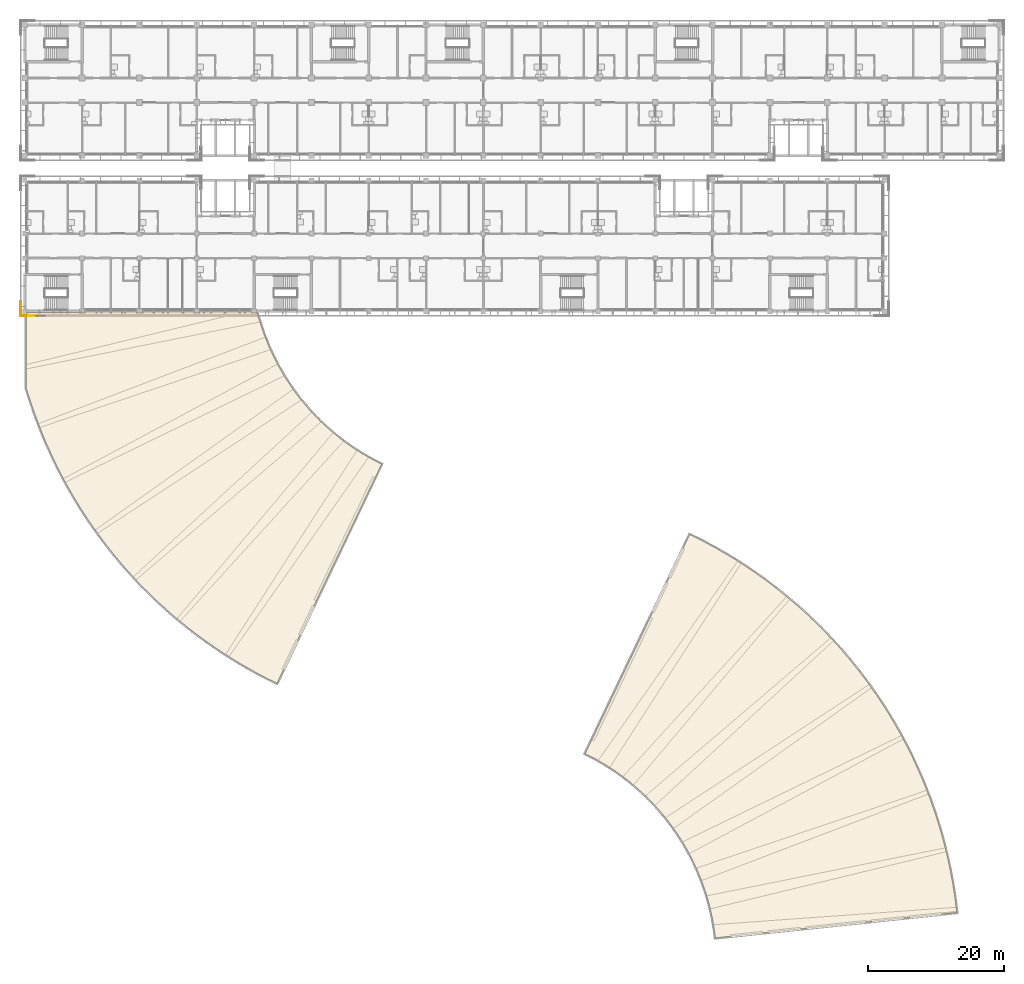
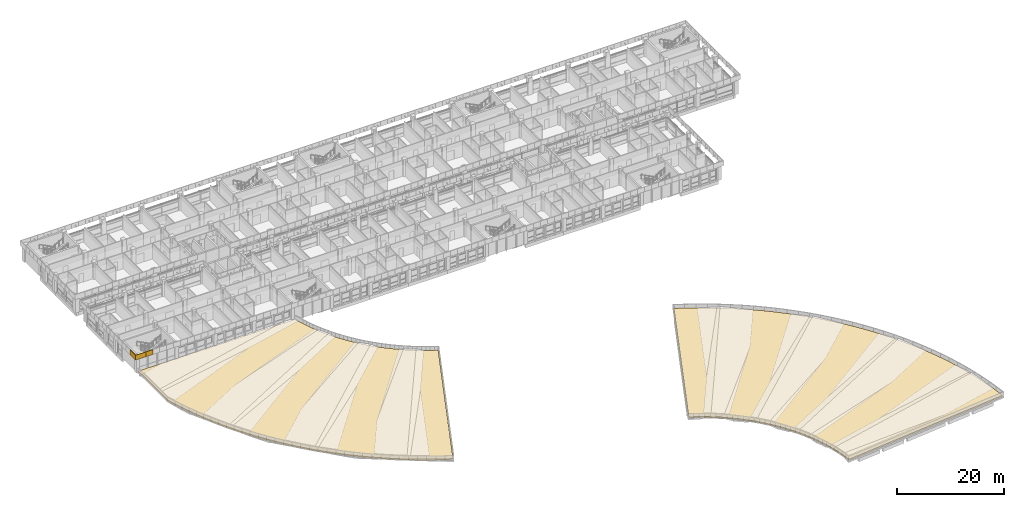
# One storey, part 62 of 74: 5 coverings.
"""IFC4 building model written with IfcOpenShell, lengths in metres."""

from ifc_helpers import new_model, si_unit, direction, frame, origin, place, context, subcontext, project, spatial, polyline, outline, extrude, material, layer, layer_set, type_object, element, save


model = new_model("IFC4")

# Units and contexts
model_context = context("Model", 3, precision=1e-05, world=origin(), true_north=direction((0.0, 1.0)))
body_context = subcontext(model_context, "Body", "Model", "MODEL_VIEW")
ifc_project = project(units=[si_unit("LENGTHUNIT", "METRE"), si_unit("AREAUNIT", "SQUARE_METRE"), si_unit("VOLUMEUNIT", "CUBIC_METRE"), si_unit("PLANEANGLEUNIT", "RADIAN"), si_unit("MASSUNIT", "GRAM", prefix="KILO")], contexts=[model_context])

# Site, building, storey
site_placement = place(None, origin())
site = spatial("IfcSite", under=ifc_project, at=site_placement, CompositionType="ELEMENT")
building_placement = place(site_placement, origin())
building = spatial("IfcBuilding", under=site, at=building_placement, Name="Bougainvillea Quay General Hospital", CompositionType="ELEMENT")
storey_placement = place(building_placement, frame((0.0, 0.0, 21.0)))
storey = spatial("IfcBuildingStorey", under=building, at=storey_placement, Name="L04", CompositionType="ELEMENT", Elevation=21.0)

# Coverings
ifc_material_1 = material(Name="Powder-coated aluminium fascia, white", Category="aluminium")
ifc_layer_1 = layer(ifc_material_1, 0.14990234375)
ifc_layer_set_1 = layer_set([ifc_layer_1], Name="Powder-coated aluminium fascia, white")
covering_type_1 = type_object("IfcCoveringType", Name="Aluminium fascia band white 150x1100", PredefinedType="CLADDING", material=ifc_layer_set_1)
covering_1_placement = place(storey_placement, frame((41.449951171875, 119.076904296875, 3.35009765625), z_axis=(0.0, 0.0, 1.0), x_axis=(0.0, -1.0, 0.0)))
element("IfcCovering", 1, at=covering_1_placement, inside=storey, type_object=covering_type_1, Name="Fascia band white e0 13", PredefinedType="CLADDING", context=body_context, shape_type="SweptSolid", body=[
    extrude(outline(polyline([(0.0, 0.0), (2.02685546875, 0.0), (2.177001953125, -0.14990234375), (0.0, -0.14990234375), (0.0, 0.0)])), origin(), (0.0, 0.0, 1.0), 1.10009765625),
])
covering_2_placement = place(storey_placement, frame((41.449951171875, 117.050048828125, 3.35009765625), z_axis=(0.0, 0.0, 1.0), x_axis=(1.0, 0.0, 0.0)))
element("IfcCovering", 2, at=covering_2_placement, inside=storey, type_object=covering_type_1, Name="Fascia band white e0 14", PredefinedType="CLADDING", context=body_context, shape_type="SweptSolid", body=[
    extrude(outline(polyline([(0.0, 0.0), (2.050048828125, 0.0), (2.050048828125, -0.150146484375), (-0.14990234375, -0.150146484375), (0.0, 0.0)])), origin(), (0.0, 0.0, 1.0), 1.10009765625),
])
covering_3_placement = place(storey_placement, frame((43.5, 117.050048828125, 3.35009765625), z_axis=(0.0, 0.0, 1.0), x_axis=(1.0, 0.0, 0.0)))
element("IfcCovering", 3, at=covering_3_placement, inside=storey, type_object=covering_type_1, Name="Fascia band white e0 15", PredefinedType="CLADDING", context=body_context, shape_type="SweptSolid", body=[
    extrude(outline(polyline([(0.0, 0.0), (1.5, 0.0), (1.5, -0.150146484375), (0.0, -0.150146484375), (0.0, 0.0)])), origin(), (0.0, 0.0, 1.0), 1.10009765625),
])
ifc_material_2 = material(Name="Extensive green roof substrate with sedum planting")
ifc_layer_2 = layer(ifc_material_2, 0.25)
ifc_layer_set_2 = layer_set([ifc_layer_2], Name="Extensive green roof substrate with sedum planting")
covering_type_2 = type_object("IfcCoveringType", Name="Planted roof 250", PredefinedType="ROOFING", material=ifc_layer_set_2)
covering_4_placement = place(storey_placement, origin())
element("IfcCovering", 4, at=covering_4_placement, inside=storey, type_object=covering_type_2, Name="Planted roof 0 1", PredefinedType="ROOFING", context=body_context, shape_type="SweptSolid", body=[
    extrude(outline(polyline([(70.21484375, 68.101806640625), (68.802734375, 69.078125), (67.414794921875, 70.089111328125), (66.052734375, 71.13330078125), (64.716552734375, 72.211181640625), (63.4072265625, 73.321044921875), (62.1259765625, 74.463623046875), (60.87255859375, 75.63623046875), (59.64892578125, 76.83984375), (58.454345703125, 78.0732421875), (57.291748046875, 79.335693359375), (56.159912109375, 80.6259765625), (55.06005859375, 81.9443359375), (53.9931640625, 83.289306640625), (52.959228515625, 84.659423828125), (51.9599609375, 86.055419921875), (50.994873046875, 87.474365234375), (50.0654296875, 88.918212890625), (49.1708984375, 90.383056640625), (48.3134765625, 91.869873046875), (47.492919921875, 93.37744140625), (46.708984375, 94.905029296875), (45.963134765625, 96.45068359375), (45.255126953125, 98.01513671875), (44.587158203125, 99.595703125), (43.95703125, 101.193115234375), (43.36669921875, 102.804443359375), (42.81591796875, 104.431884765625), (42.199951171875, 106.32763671875), (42.199951171875, 117.39990234375), (76.03466796875, 117.39990234375), (76.674072265625, 115.43017578125), (76.943359375, 114.634521484375), (77.233154296875, 113.8447265625), (77.541748046875, 113.0625), (77.86865234375, 112.287841796875), (78.2158203125, 111.522216796875), (78.580810546875, 110.763916015625), (78.965087890625, 110.015380859375), (79.36767578125, 109.277099609375), (79.7880859375, 108.549072265625), (80.2255859375, 107.830810546875), (80.68115234375, 107.12353515625), (81.154052734375, 106.428466796875), (81.643798828125, 105.74462890625), (82.149658203125, 105.07275390625), (82.6728515625, 104.413818359375), (83.212158203125, 103.767822265625), (83.766357421875, 103.13623046875), (84.336669921875, 102.517578125), (84.9208984375, 101.9130859375), (85.5205078125, 101.32373046875), (86.135009765625, 100.748291015625), (86.7626953125, 100.18896484375), (87.404541015625, 99.644775390625), (88.059326171875, 99.11669921875), (88.726318359375, 98.604736328125), (89.40625, 98.10986328125), (90.098388671875, 97.632080078125), (90.80126953125, 97.17041015625), (91.515625, 96.726806640625), (92.240966796875, 96.30126953125), (92.97705078125, 95.89306640625), (93.721435546875, 95.502685546875), (94.29736328125, 95.2197265625), (78.970703125, 63.087890625), (77.610595703125, 63.75732421875), (76.0888671875, 64.552978515625), (74.588134765625, 65.3857421875), (73.1083984375, 66.255126953125), (71.649658203125, 67.16064453125), (70.21484375, 68.101806640625)])), origin(), (0.0, 0.0, 1.0), 0.25),
])
covering_5_placement = place(storey_placement, origin())
element("IfcCovering", 5, at=covering_5_placement, inside=storey, type_object=covering_type_2, Name="Planted roof 1 1", PredefinedType="ROOFING", context=body_context, shape_type="SweptSolid", body=[
    extrude(outline(polyline([(148.59814453125, 79.617919921875), (150.362060546875, 78.371337890625), (152.086181640625, 77.0712890625), (153.769287109375, 75.718017578125), (155.40966796875, 74.31396484375), (157.005859375, 72.859375), (158.5556640625, 71.35546875), (160.059326171875, 69.805908203125), (161.51416015625, 68.20947265625), (162.91796875, 66.5693359375), (164.271240234375, 64.885986328125), (165.571533203125, 63.162109375), (166.81787109375, 61.398193359375), (168.009521484375, 59.59716796875), (169.144287109375, 57.759521484375), (170.22119140625, 55.887939453125), (171.240234375, 53.984375), (172.200439453125, 52.0498046875), (173.099853515625, 50.08642578125), (173.9384765625, 48.09619140625), (174.71435546875, 46.0810546875), (175.42822265625, 44.042724609375), (176.078369140625, 41.983642578125), (176.66455078125, 39.90478515625), (177.186279296875, 37.8095703125), (177.642822265625, 35.69873046875), (178.03369140625, 33.574951171875), (178.35888671875, 31.43994140625), (178.593994140625, 29.49462890625), (143.18896484375, 25.7734375), (143.086181640625, 26.625), (142.92626953125, 27.671142578125), (142.735107421875, 28.712158203125), (142.5107421875, 29.746337890625), (142.25537109375, 30.773193359375), (141.96875, 31.791259765625), (141.649658203125, 32.80029296875), (141.2998046875, 33.799072265625), (140.91943359375, 34.786865234375), (140.509033203125, 35.761474609375), (140.068603515625, 36.72314453125), (139.597900390625, 37.671630859375), (139.098876953125, 38.60400390625), (138.57080078125, 39.521484375), (138.014404296875, 40.421630859375), (137.43115234375, 41.303955078125), (136.820556640625, 42.16796875), (136.183837890625, 43.012939453125), (135.52001953125, 43.837646484375), (134.83203125, 44.641357421875), (134.119873046875, 45.4228515625), (133.383544921875, 46.183349609375), (132.623046875, 46.919677734375), (131.84130859375, 47.6318359375), (131.037841796875, 48.31982421875), (130.212890625, 48.98388671875), (129.367919921875, 49.62060546875), (128.50390625, 50.231201171875), (127.621826171875, 50.814453125), (126.721435546875, 51.370849609375), (125.80419921875, 51.89892578125), (124.87158203125, 52.397705078125), (124.102294921875, 52.779541015625), (139.428955078125, 84.91162109375), (141.184326171875, 84.040283203125), (143.087890625, 83.021240234375), (144.95947265625, 81.944091796875), (146.79736328125, 80.8095703125), (148.59814453125, 79.617919921875)])), origin(), (0.0, 0.0, 1.0), 0.25),
])

save(model, "model.ifc")
